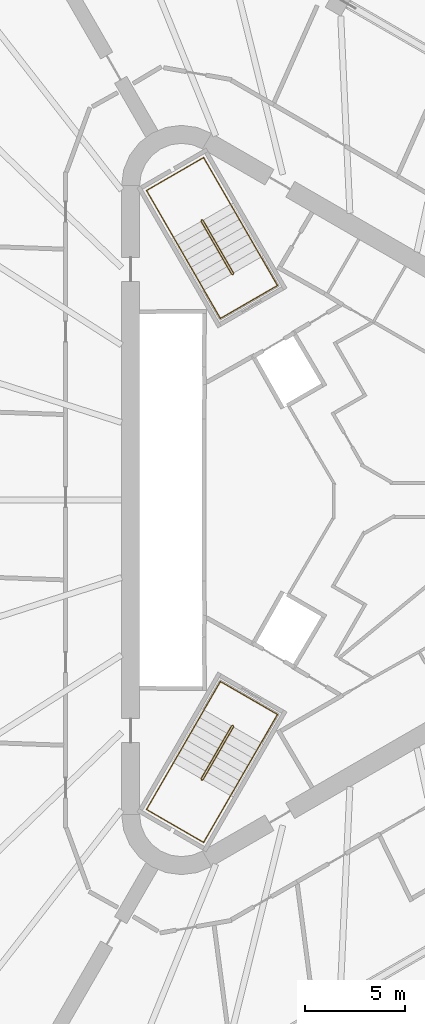
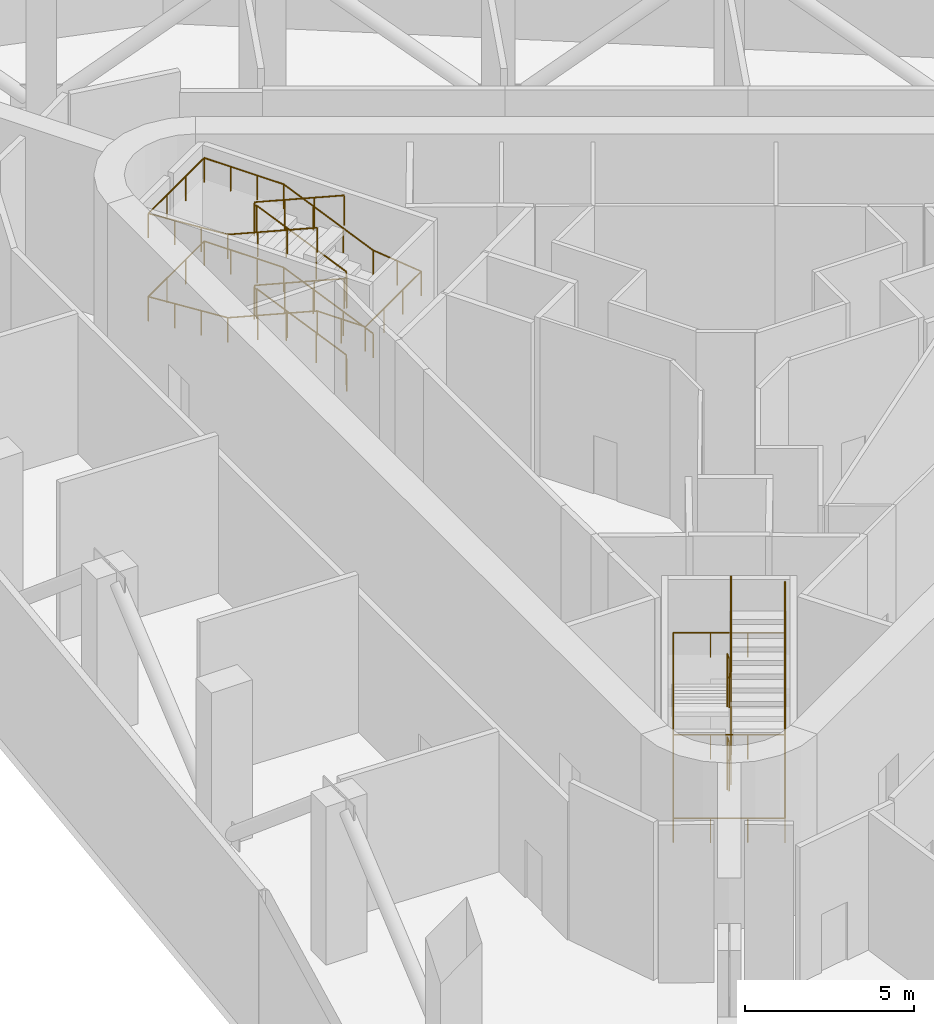
# One storey, part 11 of 12: 4 railings.
"""IFC4 building model written with IfcOpenShell, lengths in metres."""

from ifc_helpers import new_model, si_unit, direction, frame, origin, origin_2d, place, context, subcontext, project, spatial, circle, extrude, material, type_object, element, save


model = new_model("IFC4")

# Units and contexts
model_context = context("Model", 3, precision=1e-05, world=origin(), true_north=direction((0.0, 1.0)))
body_context = subcontext(model_context, "Body", "Model", "MODEL_VIEW")
ifc_project = project(units=[si_unit("LENGTHUNIT", "METRE"), si_unit("AREAUNIT", "SQUARE_METRE"), si_unit("VOLUMEUNIT", "CUBIC_METRE"), si_unit("PLANEANGLEUNIT", "RADIAN"), si_unit("MASSUNIT", "GRAM", prefix="KILO")], contexts=[model_context])

# Site, building, storey
site_placement = place(None, origin())
site = spatial("IfcSite", under=ifc_project, at=site_placement, CompositionType="ELEMENT")
building_placement = place(site_placement, origin())
building = spatial("IfcBuilding", under=site, at=building_placement, Name="Tanit Gate Tower", CompositionType="ELEMENT")
storey_placement = place(building_placement, frame((0.0, 0.0, 292.699951171875)))
storey = spatial("IfcBuildingStorey", under=building, at=storey_placement, Name="L65", CompositionType="ELEMENT", Elevation=292.699951171875)

# Railings
ifc_material_1 = material(Name="Stainless steel balustrade", Category="steel")
railing_type_1 = type_object("IfcRailingType", Name="INT-STAIR-GUARD", PredefinedType="GUARDRAIL", material=ifc_material_1)
railing_1_placement = place(storey_placement, frame((-6.527099609375, 11.29345703125, 0.0)))
element("IfcRailing", 1, at=railing_1_placement, inside=storey, type_object=railing_type_1, Name="L65 S2 stair guard 1", PredefinedType="GUARDRAIL", context=body_context, shape_type="SweptSolid", body=[
    extrude(circle(Radius=0.02392578125, at=origin_2d()), frame((0.0, 0.0, 1.076171875), z_axis=(0.868243142124, 0.496138938357, 0.0), x_axis=(-0.496138938357, 0.868243142124, 0.0)), (0.0, 0.0, 1.0), 0.01171875),
    extrude(circle(Radius=0.02392578125, at=origin_2d()), frame((0.01025390625, 0.005859375, 1.076171875), z_axis=(0.091365023295, 0.341096086969, 0.935577838543), x_axis=(-0.965948051503, 0.258736085224, 0.0)), (0.0, 0.0, 1.0), 0.200439453125),
    extrude(circle(Radius=0.02392578125, at=origin_2d()), frame((0.028564453125, 0.07421875, 1.263671875), z_axis=(-0.459281500864, 0.79545055458, 0.395371873282), x_axis=(-0.866012246495, -0.500022788402, 0.0)), (0.0, 0.0, 1.0), 3.319580078125),
    extrude(circle(Radius=0.02392578125, at=origin_2d()), frame((-1.49609375, 2.71484375, 2.576171875), z_axis=(-0.965715946433, 0.259601060869, 0.0), x_axis=(-0.259601060869, -0.965715946433, 0.0)), (0.0, 0.0, 1.0), 0.070556640625),
    extrude(circle(Radius=0.02392578125, at=origin_2d()), frame((-1.564208984375, 2.733154296875, 2.576171875), z_axis=(-0.873197702015, -0.487366159264, 0.0), x_axis=(0.487366159264, -0.873197702015, 0.0)), (0.0, 0.0, 1.0), 0.011962890625),
    extrude(circle(Radius=0.02392578125, at=origin_2d()), frame((-1.57470703125, 2.727294921875, 2.576171875), z_axis=(-0.091365023295, -0.341096086969, 0.935577838543), x_axis=(0.965948051503, -0.258736085224, 0.0)), (0.0, 0.0, 1.0), 0.200439453125),
    extrude(circle(Radius=0.02392578125, at=origin_2d()), frame((-1.593017578125, 2.658935546875, 2.763671875), z_axis=(0.459281500864, -0.79545055458, 0.395371873282), x_axis=(0.866012246495, 0.500022788402, 0.0)), (0.0, 0.0, 1.0), 3.319580078125),
    extrude(circle(Radius=0.02392578125, at=origin_2d()), frame((-0.068359375, 0.018310546875, 4.076171875), z_axis=(0.965948051503, -0.258736085224, 0.0), x_axis=(0.258736085224, 0.965948051503, 0.0)), (0.0, 0.0, 1.0), 0.07080078125),
    extrude(circle(Radius=0.02392578125, at=origin_2d()), frame((0.0, 0.0, 4.076171875), z_axis=(0.868243142124, 0.496138938357, 0.0), x_axis=(-0.496138938357, 0.868243142124, 0.0)), (0.0, 0.0, 1.0), 0.01171875),
    extrude(circle(Radius=0.02392578125, at=origin_2d()), frame((0.01025390625, 0.005859375, 4.076171875), z_axis=(0.091365023295, 0.341096086969, 0.935577838543), x_axis=(-0.965948051503, 0.258736085224, 0.0)), (0.0, 0.0, 1.0), 0.200439453125),
    extrude(circle(Radius=0.02392578125, at=origin_2d()), frame((0.028564453125, 0.07421875, 4.263671875), z_axis=(-0.459281500864, 0.79545055458, 0.395371873282), x_axis=(-0.866012246495, -0.500022788402, 0.0)), (0.0, 0.0, 1.0), 3.319580078125),
    extrude(circle(Radius=0.02392578125, at=origin_2d()), frame((-1.49609375, 2.71484375, 5.576171875), z_axis=(-0.965715946433, 0.259601060869, 0.0), x_axis=(-0.259601060869, -0.965715946433, 0.0)), (0.0, 0.0, 1.0), 0.070556640625),
    extrude(circle(Radius=0.02392578125, at=origin_2d()), frame((-1.564208984375, 2.733154296875, 5.576171875), z_axis=(-0.873197702015, -0.487366159264, 0.0), x_axis=(0.487366159264, -0.873197702015, 0.0)), (0.0, 0.0, 1.0), 0.011962890625),
    extrude(circle(Radius=0.02392578125, at=origin_2d()), frame((-1.57470703125, 2.727294921875, 5.576171875), z_axis=(-0.091365023295, -0.341096086969, 0.935577838543), x_axis=(0.965948051503, -0.258736085224, 0.0)), (0.0, 0.0, 1.0), 0.200439453125),
    extrude(circle(Radius=0.02392578125, at=origin_2d()), frame((-1.593017578125, 2.658935546875, 5.763671875), z_axis=(0.459281500864, -0.79545055458, 0.395371873282), x_axis=(0.866012246495, 0.500022788402, 0.0)), (0.0, 0.0, 1.0), 3.319580078125),
    extrude(circle(Radius=0.02099609375, at=origin_2d()), origin(), (0.0, 0.0, 1.0), 1.052001953125),
    extrude(circle(Radius=0.02099609375, at=origin_2d()), frame((0.01025390625, 0.005859375, 0.0)), (0.0, 0.0, 1.0), 1.052001953125),
    extrude(circle(Radius=0.02099609375, at=origin_2d()), frame((0.028564453125, 0.07421875, 0.1875)), (0.0, 0.0, 1.0), 1.052001953125),
    extrude(circle(Radius=0.02099609375, at=origin_2d()), frame((-0.479736328125, 0.954345703125, 0.625)), (0.0, 0.0, 1.0), 1.052001953125),
    extrude(circle(Radius=0.02099609375, at=origin_2d()), frame((-0.98779296875, 1.834716796875, 1.0625)), (0.0, 0.0, 1.0), 1.052001953125),
    extrude(circle(Radius=0.02099609375, at=origin_2d()), frame((-1.49609375, 2.71484375, 1.5)), (0.0, 0.0, 1.0), 1.052001953125),
    extrude(circle(Radius=0.02099609375, at=origin_2d()), frame((-1.564208984375, 2.733154296875, 1.5)), (0.0, 0.0, 1.0), 1.052001953125),
    extrude(circle(Radius=0.02099609375, at=origin_2d()), frame((-1.57470703125, 2.727294921875, 1.5)), (0.0, 0.0, 1.0), 1.052001953125),
    extrude(circle(Radius=0.02099609375, at=origin_2d()), frame((-1.593017578125, 2.658935546875, 1.6875)), (0.0, 0.0, 1.0), 1.052001953125),
    extrude(circle(Radius=0.02099609375, at=origin_2d()), frame((-1.084716796875, 1.77880859375, 2.125)), (0.0, 0.0, 1.0), 1.052001953125),
    extrude(circle(Radius=0.02099609375, at=origin_2d()), frame((-0.57666015625, 0.8984375, 2.5625)), (0.0, 0.0, 1.0), 1.052001953125),
    extrude(circle(Radius=0.02099609375, at=origin_2d()), frame((-0.068359375, 0.018310546875, 3.0)), (0.0, 0.0, 1.0), 1.052001953125),
    extrude(circle(Radius=0.02099609375, at=origin_2d()), frame((0.0, 0.0, 3.0)), (0.0, 0.0, 1.0), 1.052001953125),
    extrude(circle(Radius=0.02099609375, at=origin_2d()), frame((0.01025390625, 0.005859375, 3.0)), (0.0, 0.0, 1.0), 1.052001953125),
    extrude(circle(Radius=0.02099609375, at=origin_2d()), frame((0.028564453125, 0.07421875, 3.1875)), (0.0, 0.0, 1.0), 1.052001953125),
    extrude(circle(Radius=0.02099609375, at=origin_2d()), frame((-0.479736328125, 0.954345703125, 3.625)), (0.0, 0.0, 1.0), 1.052001953125),
    extrude(circle(Radius=0.02099609375, at=origin_2d()), frame((-0.98779296875, 1.834716796875, 4.0625)), (0.0, 0.0, 1.0), 1.052001953125),
    extrude(circle(Radius=0.02099609375, at=origin_2d()), frame((-1.49609375, 2.71484375, 4.5)), (0.0, 0.0, 1.0), 1.052001953125),
    extrude(circle(Radius=0.02099609375, at=origin_2d()), frame((-1.564208984375, 2.733154296875, 4.5)), (0.0, 0.0, 1.0), 1.052001953125),
    extrude(circle(Radius=0.02099609375, at=origin_2d()), frame((-1.57470703125, 2.727294921875, 4.5)), (0.0, 0.0, 1.0), 1.052001953125),
    extrude(circle(Radius=0.02099609375, at=origin_2d()), frame((-1.593017578125, 2.658935546875, 4.6875)), (0.0, 0.0, 1.0), 1.052001953125),
    extrude(circle(Radius=0.02099609375, at=origin_2d()), frame((-1.084716796875, 1.77880859375, 5.125)), (0.0, 0.0, 1.0), 1.052001953125),
    extrude(circle(Radius=0.02099609375, at=origin_2d()), frame((-0.57666015625, 0.8984375, 5.5625)), (0.0, 0.0, 1.0), 1.052001953125),
    extrude(circle(Radius=0.02099609375, at=origin_2d()), frame((-0.068359375, 0.018310546875, 6.0)), (0.0, 0.0, 1.0), 1.052001953125),
])
railing_2_placement = place(storey_placement, frame((-6.51806640625, -11.2998046875, 0.0)))
element("IfcRailing", 2, at=railing_2_placement, inside=storey, type_object=railing_type_1, Name="L65 S3 stair guard 1", PredefinedType="GUARDRAIL", context=body_context, shape_type="SweptSolid", body=[
    extrude(circle(Radius=0.02392578125, at=origin_2d()), frame((0.0, 0.0, 1.076171875), z_axis=(-0.874157276122, 0.485642931179, 0.0), x_axis=(-0.485642931179, -0.874157276122, 0.0)), (0.0, 0.0, 1.0), 0.010009765625),
    extrude(circle(Radius=0.02392578125, at=origin_2d()), frame((-0.0087890625, 0.0048828125, 1.076171875), z_axis=(-0.34113380443, -0.090156791171, 0.935681292151), x_axis=(0.255512919477, -0.966805641264, 0.0)), (0.0, 0.0, 1.0), 0.200439453125),
    extrude(circle(Radius=0.02392578125, at=origin_2d()), frame((-0.0771484375, -0.01318359375, 1.263671875), z_axis=(-0.459267510171, -0.795558940874, 0.395169995947), x_axis=(0.866048339477, -0.499960272111, 0.0)), (0.0, 0.0, 1.0), 3.3212890625),
    extrude(circle(Radius=0.02392578125, at=origin_2d()), frame((-1.6025390625, -2.655517578125, 2.576171875), z_axis=(0.258736085224, -0.965948051503, 0.0), x_axis=(0.965948051503, 0.258736085224, 0.0)), (0.0, 0.0, 1.0), 0.07080078125),
    extrude(circle(Radius=0.02392578125, at=origin_2d()), frame((-1.584228515625, -2.723876953125, 2.576171875), z_axis=(0.868243142124, -0.496138938357, 0.0), x_axis=(0.496138938357, 0.868243142124, 0.0)), (0.0, 0.0, 1.0), 0.009765625),
    extrude(circle(Radius=0.02392578125, at=origin_2d()), frame((-1.57568359375, -2.728759765625, 2.576171875), z_axis=(0.341096086969, 0.091365023295, 0.935577838543), x_axis=(-0.258736085224, 0.965948051503, 0.0)), (0.0, 0.0, 1.0), 0.200439453125),
    extrude(circle(Radius=0.02392578125, at=origin_2d()), frame((-1.50732421875, -2.71044921875, 2.763671875), z_axis=(0.459352369135, 0.79550509502, 0.395179762597), x_axis=(-0.865993683553, 0.500054937028, 0.0)), (0.0, 0.0, 1.0), 3.3212890625),
    extrude(circle(Radius=0.02392578125, at=origin_2d()), frame((0.018310546875, -0.068359375, 4.076171875), z_axis=(-0.258736085224, 0.965948051503, 0.0), x_axis=(-0.965948051503, -0.258736085224, 0.0)), (0.0, 0.0, 1.0), 0.07080078125),
    extrude(circle(Radius=0.02392578125, at=origin_2d()), frame((0.0, 0.0, 4.076171875), z_axis=(-0.874157276122, 0.485642931179, 0.0), x_axis=(-0.485642931179, -0.874157276122, 0.0)), (0.0, 0.0, 1.0), 0.010009765625),
    extrude(circle(Radius=0.02392578125, at=origin_2d()), frame((-0.0087890625, 0.0048828125, 4.076171875), z_axis=(-0.34113380443, -0.090156791171, 0.935681292151), x_axis=(0.255512919477, -0.966805641264, 0.0)), (0.0, 0.0, 1.0), 0.200439453125),
    extrude(circle(Radius=0.02392578125, at=origin_2d()), frame((-0.0771484375, -0.01318359375, 4.263671875), z_axis=(-0.459267510171, -0.795558940874, 0.395169995947), x_axis=(0.866048339477, -0.499960272111, 0.0)), (0.0, 0.0, 1.0), 3.3212890625),
    extrude(circle(Radius=0.02392578125, at=origin_2d()), frame((-1.6025390625, -2.655517578125, 5.576171875), z_axis=(0.258736085224, -0.965948051503, 0.0), x_axis=(0.965948051503, 0.258736085224, 0.0)), (0.0, 0.0, 1.0), 0.07080078125),
    extrude(circle(Radius=0.02392578125, at=origin_2d()), frame((-1.584228515625, -2.723876953125, 5.576171875), z_axis=(0.868243142124, -0.496138938357, 0.0), x_axis=(0.496138938357, 0.868243142124, 0.0)), (0.0, 0.0, 1.0), 0.009765625),
    extrude(circle(Radius=0.02392578125, at=origin_2d()), frame((-1.57568359375, -2.728759765625, 5.576171875), z_axis=(0.341096086969, 0.091365023295, 0.935577838543), x_axis=(-0.258736085224, 0.965948051503, 0.0)), (0.0, 0.0, 1.0), 0.200439453125),
    extrude(circle(Radius=0.02392578125, at=origin_2d()), frame((-1.50732421875, -2.71044921875, 5.763671875), z_axis=(0.459352369135, 0.79550509502, 0.395179762597), x_axis=(-0.865993683553, 0.500054937028, 0.0)), (0.0, 0.0, 1.0), 3.3212890625),
    extrude(circle(Radius=0.02099609375, at=origin_2d()), origin(), (0.0, 0.0, 1.0), 1.052001953125),
    extrude(circle(Radius=0.02099609375, at=origin_2d()), frame((-0.0087890625, 0.0048828125, 0.0)), (0.0, 0.0, 1.0), 1.052001953125),
    extrude(circle(Radius=0.02099609375, at=origin_2d()), frame((-0.0771484375, -0.01318359375, 0.1875)), (0.0, 0.0, 1.0), 1.052001953125),
    extrude(circle(Radius=0.02099609375, at=origin_2d()), frame((-0.585693359375, -0.89404296875, 0.625)), (0.0, 0.0, 1.0), 1.052001953125),
    extrude(circle(Radius=0.02099609375, at=origin_2d()), frame((-1.093994140625, -1.774658203125, 1.0625)), (0.0, 0.0, 1.0), 1.052001953125),
    extrude(circle(Radius=0.02099609375, at=origin_2d()), frame((-1.6025390625, -2.655517578125, 1.5)), (0.0, 0.0, 1.0), 1.052001953125),
    extrude(circle(Radius=0.02099609375, at=origin_2d()), frame((-1.584228515625, -2.723876953125, 1.5)), (0.0, 0.0, 1.0), 1.052001953125),
    extrude(circle(Radius=0.02099609375, at=origin_2d()), frame((-1.57568359375, -2.728759765625, 1.5)), (0.0, 0.0, 1.0), 1.052001953125),
    extrude(circle(Radius=0.02099609375, at=origin_2d()), frame((-1.50732421875, -2.71044921875, 1.6875)), (0.0, 0.0, 1.0), 1.052001953125),
    extrude(circle(Radius=0.02099609375, at=origin_2d()), frame((-0.998779296875, -1.829833984375, 2.125)), (0.0, 0.0, 1.0), 1.052001953125),
    extrude(circle(Radius=0.02099609375, at=origin_2d()), frame((-0.490234375, -0.948974609375, 2.5625)), (0.0, 0.0, 1.0), 1.052001953125),
    extrude(circle(Radius=0.02099609375, at=origin_2d()), frame((0.018310546875, -0.068359375, 3.0)), (0.0, 0.0, 1.0), 1.052001953125),
    extrude(circle(Radius=0.02099609375, at=origin_2d()), frame((0.0, 0.0, 3.0)), (0.0, 0.0, 1.0), 1.052001953125),
    extrude(circle(Radius=0.02099609375, at=origin_2d()), frame((-0.0087890625, 0.0048828125, 3.0)), (0.0, 0.0, 1.0), 1.052001953125),
    extrude(circle(Radius=0.02099609375, at=origin_2d()), frame((-0.0771484375, -0.01318359375, 3.1875)), (0.0, 0.0, 1.0), 1.052001953125),
    extrude(circle(Radius=0.02099609375, at=origin_2d()), frame((-0.585693359375, -0.89404296875, 3.625)), (0.0, 0.0, 1.0), 1.052001953125),
    extrude(circle(Radius=0.02099609375, at=origin_2d()), frame((-1.093994140625, -1.774658203125, 4.0625)), (0.0, 0.0, 1.0), 1.052001953125),
    extrude(circle(Radius=0.02099609375, at=origin_2d()), frame((-1.6025390625, -2.655517578125, 4.5)), (0.0, 0.0, 1.0), 1.052001953125),
    extrude(circle(Radius=0.02099609375, at=origin_2d()), frame((-1.584228515625, -2.723876953125, 4.5)), (0.0, 0.0, 1.0), 1.052001953125),
    extrude(circle(Radius=0.02099609375, at=origin_2d()), frame((-1.57568359375, -2.728759765625, 4.5)), (0.0, 0.0, 1.0), 1.052001953125),
    extrude(circle(Radius=0.02099609375, at=origin_2d()), frame((-1.50732421875, -2.71044921875, 4.6875)), (0.0, 0.0, 1.0), 1.052001953125),
    extrude(circle(Radius=0.02099609375, at=origin_2d()), frame((-0.998779296875, -1.829833984375, 5.125)), (0.0, 0.0, 1.0), 1.052001953125),
    extrude(circle(Radius=0.02099609375, at=origin_2d()), frame((-0.490234375, -0.948974609375, 5.5625)), (0.0, 0.0, 1.0), 1.052001953125),
    extrude(circle(Radius=0.02099609375, at=origin_2d()), frame((0.018310546875, -0.068359375, 6.0)), (0.0, 0.0, 1.0), 1.052001953125),
])
ifc_material_2 = material(Name="Stainless steel handrail", Category="steel")
railing_type_2 = type_object("IfcRailingType", Name="INT-STAIR-HANDRAIL", PredefinedType="HANDRAIL", material=ifc_material_2)
railing_3_placement = place(storey_placement, frame((-5.1181640625, 12.164794921875, 0.1875)))
element("IfcRailing", 3, at=railing_3_placement, inside=storey, type_object=railing_type_2, Name="L65 S2 stair handrail 1", PredefinedType="HANDRAIL", context=body_context, shape_type="SweptSolid", body=[
    extrude(circle(Radius=0.02392578125, at=origin_2d()), frame((0.0, 0.0, 0.8759765625), z_axis=(-0.459223467357, 0.795477421995, 0.3953852275), x_axis=(-0.866046917185, -0.499962735845, 0.0)), (0.0, 0.0, 1.0), 3.319580078125),
    extrude(circle(Radius=0.02392578125, at=origin_2d()), frame((-1.5244140625, 2.640625, 2.1884765625), z_axis=(-0.500019123664, 0.86601436245, 0.0), x_axis=(-0.86601436245, -0.500019123664, 0.0)), (0.0, 0.0, 1.0), 2.70703125),
    extrude(circle(Radius=0.02392578125, at=origin_2d()), frame((-2.8779296875, 4.98486328125, 2.1884765625), z_axis=(-0.866008176907, -0.50002983664, 0.0), x_axis=(0.50002983664, -0.866008176907, 0.0)), (0.0, 0.0, 1.0), 3.300048828125),
    extrude(circle(Radius=0.02392578125, at=origin_2d()), frame((-5.73583984375, 3.334716796875, 2.1884765625), z_axis=(0.498862685348, -0.863921472227, 0.069106519182), x_axis=(0.865991810323, 0.500058181068, 0.0)), (0.0, 0.0, 1.0), 2.713134765625),
    extrude(circle(Radius=0.02392578125, at=origin_2d()), frame((-4.38232421875, 0.99072265625, 2.3759765625), z_axis=(0.459254633775, -0.795477561817, 0.395348744784), x_axis=(0.866032263162, 0.499988119021, 0.0)), (0.0, 0.0, 1.0), 3.31982421875),
    extrude(circle(Radius=0.02392578125, at=origin_2d()), frame((-2.857666015625, -1.650146484375, 3.6884765625), z_axis=(0.499941024108, -0.866059450854, 0.0), x_axis=(0.866059450854, 0.499941024108, 0.0)), (0.0, 0.0, 1.0), 1.643798828125),
    extrude(circle(Radius=0.02392578125, at=origin_2d()), frame((-2.035888671875, -3.07373046875, 3.6884765625), z_axis=(0.866040211805, 0.499974350878, 0.0), x_axis=(-0.499974350878, 0.866040211805, 0.0)), (0.0, 0.0, 1.0), 3.300048828125),
    extrude(circle(Radius=0.02392578125, at=origin_2d()), frame((0.822021484375, -1.423828125, 3.6884765625), z_axis=(-0.496767975462, 0.860454657824, 0.113310901442), x_axis=(-0.866032269107, -0.499988108725, 0.0)), (0.0, 0.0, 1.0), 1.65478515625),
    extrude(circle(Radius=0.02392578125, at=origin_2d()), frame((0.0, 0.0, 3.8759765625), z_axis=(-0.459223467357, 0.795477421995, 0.3953852275), x_axis=(-0.866046917185, -0.499962735845, 0.0)), (0.0, 0.0, 1.0), 3.319580078125),
    extrude(circle(Radius=0.02392578125, at=origin_2d()), frame((-1.5244140625, 2.640625, 5.1884765625), z_axis=(-0.500019123664, 0.86601436245, 0.0), x_axis=(-0.86601436245, -0.500019123664, 0.0)), (0.0, 0.0, 1.0), 2.70703125),
    extrude(circle(Radius=0.02392578125, at=origin_2d()), frame((-2.8779296875, 4.98486328125, 5.1884765625), z_axis=(-0.866008176907, -0.50002983664, 0.0), x_axis=(0.50002983664, -0.866008176907, 0.0)), (0.0, 0.0, 1.0), 3.300048828125),
    extrude(circle(Radius=0.02392578125, at=origin_2d()), frame((-5.73583984375, 3.334716796875, 5.1884765625), z_axis=(0.498862685348, -0.863921472227, 0.069106519182), x_axis=(0.865991810323, 0.500058181068, 0.0)), (0.0, 0.0, 1.0), 2.713134765625),
    extrude(circle(Radius=0.02392578125, at=origin_2d()), frame((-4.38232421875, 0.99072265625, 5.3759765625), z_axis=(0.459254633775, -0.795477561817, 0.395348744784), x_axis=(0.866032263162, 0.499988119021, 0.0)), (0.0, 0.0, 1.0), 3.31982421875),
    extrude(circle(Radius=0.02099609375, at=origin_2d()), origin(), (0.0, 0.0, 1.0), 0.851806640625),
    extrude(circle(Radius=0.02099609375, at=origin_2d()), frame((-0.508056640625, 0.880126953125, 0.4375)), (0.0, 0.0, 1.0), 0.851806640625),
    extrude(circle(Radius=0.02099609375, at=origin_2d()), frame((-1.016357421875, 1.760498046875, 0.875)), (0.0, 0.0, 1.0), 0.851806640625),
    extrude(circle(Radius=0.02099609375, at=origin_2d()), frame((-1.5244140625, 2.640625, 1.3125)), (0.0, 0.0, 1.0), 0.851806640625),
    extrude(circle(Radius=0.02099609375, at=origin_2d()), frame((-1.9755859375, 3.422119140625, 1.3125)), (0.0, 0.0, 1.0), 0.851806640625),
    extrude(circle(Radius=0.02099609375, at=origin_2d()), frame((-2.4267578125, 4.203369140625, 1.3125)), (0.0, 0.0, 1.0), 0.851806640625),
    extrude(circle(Radius=0.02099609375, at=origin_2d()), frame((-2.8779296875, 4.98486328125, 1.3125)), (0.0, 0.0, 1.0), 0.851806640625),
    extrude(circle(Radius=0.02099609375, at=origin_2d()), frame((-3.83056640625, 4.434814453125, 1.3125)), (0.0, 0.0, 1.0), 0.851806640625),
    extrude(circle(Radius=0.02099609375, at=origin_2d()), frame((-4.783203125, 3.884765625, 1.3125)), (0.0, 0.0, 1.0), 0.851806640625),
    extrude(circle(Radius=0.02099609375, at=origin_2d()), frame((-5.73583984375, 3.334716796875, 1.3125)), (0.0, 0.0, 1.0), 0.851806640625),
    extrude(circle(Radius=0.02099609375, at=origin_2d()), frame((-5.28466796875, 2.553466796875, 1.375)), (0.0, 0.0, 1.0), 0.851806640625),
    extrude(circle(Radius=0.02099609375, at=origin_2d()), frame((-4.83349609375, 1.77197265625, 1.4375)), (0.0, 0.0, 1.0), 0.851806640625),
    extrude(circle(Radius=0.02099609375, at=origin_2d()), frame((-4.38232421875, 0.99072265625, 1.5)), (0.0, 0.0, 1.0), 0.851806640625),
    extrude(circle(Radius=0.02099609375, at=origin_2d()), frame((-3.8740234375, 0.1103515625, 1.9375)), (0.0, 0.0, 1.0), 0.851806640625),
    extrude(circle(Radius=0.02099609375, at=origin_2d()), frame((-3.365966796875, -0.769775390625, 2.375)), (0.0, 0.0, 1.0), 0.851806640625),
    extrude(circle(Radius=0.02099609375, at=origin_2d()), frame((-2.857666015625, -1.650146484375, 2.8125)), (0.0, 0.0, 1.0), 0.851806640625),
    extrude(circle(Radius=0.02099609375, at=origin_2d()), frame((-2.44677734375, -2.36181640625, 2.8125)), (0.0, 0.0, 1.0), 0.851806640625),
    extrude(circle(Radius=0.02099609375, at=origin_2d()), frame((-2.035888671875, -3.07373046875, 2.8125)), (0.0, 0.0, 1.0), 0.851806640625),
    extrude(circle(Radius=0.02099609375, at=origin_2d()), frame((-1.083251953125, -2.523681640625, 2.8125)), (0.0, 0.0, 1.0), 0.851806640625),
    extrude(circle(Radius=0.02099609375, at=origin_2d()), frame((-0.130615234375, -1.973876953125, 2.8125)), (0.0, 0.0, 1.0), 0.851806640625),
    extrude(circle(Radius=0.02099609375, at=origin_2d()), frame((0.822021484375, -1.423828125, 2.8125)), (0.0, 0.0, 1.0), 0.851806640625),
    extrude(circle(Radius=0.02099609375, at=origin_2d()), frame((0.4111328125, -0.7119140625, 2.90625)), (0.0, 0.0, 1.0), 0.851806640625),
    extrude(circle(Radius=0.02099609375, at=origin_2d()), frame((0.0, 0.0, 3.0)), (0.0, 0.0, 1.0), 0.851806640625),
    extrude(circle(Radius=0.02099609375, at=origin_2d()), frame((-0.508056640625, 0.880126953125, 3.4375)), (0.0, 0.0, 1.0), 0.851806640625),
    extrude(circle(Radius=0.02099609375, at=origin_2d()), frame((-1.016357421875, 1.760498046875, 3.875)), (0.0, 0.0, 1.0), 0.851806640625),
    extrude(circle(Radius=0.02099609375, at=origin_2d()), frame((-1.5244140625, 2.640625, 4.3125)), (0.0, 0.0, 1.0), 0.851806640625),
    extrude(circle(Radius=0.02099609375, at=origin_2d()), frame((-1.9755859375, 3.422119140625, 4.3125)), (0.0, 0.0, 1.0), 0.851806640625),
    extrude(circle(Radius=0.02099609375, at=origin_2d()), frame((-2.4267578125, 4.203369140625, 4.3125)), (0.0, 0.0, 1.0), 0.851806640625),
    extrude(circle(Radius=0.02099609375, at=origin_2d()), frame((-2.8779296875, 4.98486328125, 4.3125)), (0.0, 0.0, 1.0), 0.851806640625),
    extrude(circle(Radius=0.02099609375, at=origin_2d()), frame((-3.83056640625, 4.434814453125, 4.3125)), (0.0, 0.0, 1.0), 0.851806640625),
    extrude(circle(Radius=0.02099609375, at=origin_2d()), frame((-4.783203125, 3.884765625, 4.3125)), (0.0, 0.0, 1.0), 0.851806640625),
    extrude(circle(Radius=0.02099609375, at=origin_2d()), frame((-5.73583984375, 3.334716796875, 4.3125)), (0.0, 0.0, 1.0), 0.851806640625),
    extrude(circle(Radius=0.02099609375, at=origin_2d()), frame((-5.28466796875, 2.553466796875, 4.375)), (0.0, 0.0, 1.0), 0.851806640625),
    extrude(circle(Radius=0.02099609375, at=origin_2d()), frame((-4.83349609375, 1.77197265625, 4.4375)), (0.0, 0.0, 1.0), 0.851806640625),
    extrude(circle(Radius=0.02099609375, at=origin_2d()), frame((-4.38232421875, 0.99072265625, 4.5)), (0.0, 0.0, 1.0), 0.851806640625),
    extrude(circle(Radius=0.02099609375, at=origin_2d()), frame((-3.8740234375, 0.1103515625, 4.9375)), (0.0, 0.0, 1.0), 0.851806640625),
    extrude(circle(Radius=0.02099609375, at=origin_2d()), frame((-3.365966796875, -0.769775390625, 5.375)), (0.0, 0.0, 1.0), 0.851806640625),
    extrude(circle(Radius=0.02099609375, at=origin_2d()), frame((-2.857666015625, -1.650146484375, 5.8125)), (0.0, 0.0, 1.0), 0.851806640625),
])
railing_4_placement = place(storey_placement, frame((-7.9765625, -10.515625, 0.1875)))
element("IfcRailing", 4, at=railing_4_placement, inside=storey, type_object=railing_type_2, Name="L65 S3 stair handrail 1", PredefinedType="HANDRAIL", context=body_context, shape_type="SweptSolid", body=[
    extrude(circle(Radius=0.02392578125, at=origin_2d()), frame((0.0, 0.0, 0.8759765625), z_axis=(-0.459267510171, -0.795558940874, 0.395169995947), x_axis=(0.866048339477, -0.499960272111, 0.0)), (0.0, 0.0, 1.0), 3.3212890625),
    extrude(circle(Radius=0.02392578125, at=origin_2d()), frame((-1.525390625, -2.642333984375, 2.1884765625), z_axis=(-0.50004290449, -0.866000631449, 0.0), x_axis=(0.866000631449, -0.50004290449, 0.0)), (0.0, 0.0, 1.0), 2.703857421875),
    extrude(circle(Radius=0.02392578125, at=origin_2d()), frame((-2.87744140625, -4.98388671875, 2.1884765625), z_axis=(0.866008176907, -0.50002983664, 0.0), x_axis=(0.50002983664, 0.866008176907, 0.0)), (0.0, 0.0, 1.0), 3.300048828125),
    extrude(circle(Radius=0.02392578125, at=origin_2d()), frame((-0.01953125, -6.634033203125, 2.1884765625), z_axis=(0.498806118336, 0.863948769787, 0.069173546205), x_axis=(-0.866023205937, 0.500003806764, 0.0)), (0.0, 0.0, 1.0), 2.710693359375),
    extrude(circle(Radius=0.02392578125, at=origin_2d()), frame((1.33251953125, -4.292236328125, 2.3759765625), z_axis=(0.459267510171, 0.795558940874, 0.395169995947), x_axis=(-0.866048339477, 0.499960272111, 0.0)), (0.0, 0.0, 1.0), 3.3212890625),
    extrude(circle(Radius=0.02392578125, at=origin_2d()), frame((2.85791015625, -1.64990234375, 3.6884765625), z_axis=(0.50001794124, 0.866015045157, 0.0), x_axis=(-0.866015045157, 0.50001794124, 0.0)), (0.0, 0.0, 1.0), 1.64501953125),
    extrude(circle(Radius=0.02392578125, at=origin_2d()), frame((3.680419921875, -0.225341796875, 3.6884765625), z_axis=(-0.866040211805, 0.499974350878, 0.0), x_axis=(-0.499974350878, -0.866040211805, 0.0)), (0.0, 0.0, 1.0), 3.300048828125),
    extrude(circle(Radius=0.02392578125, at=origin_2d()), frame((0.822509765625, 1.424560546875, 3.6884765625), z_axis=(-0.496801021229, -0.860443442824, 0.113251167796), x_axis=(0.866015045157, -0.50001794124, 0.0)), (0.0, 0.0, 1.0), 1.655517578125),
    extrude(circle(Radius=0.02392578125, at=origin_2d()), frame((0.0, 0.0, 3.8759765625), z_axis=(-0.459267510171, -0.795558940874, 0.395169995947), x_axis=(0.866048339477, -0.499960272111, 0.0)), (0.0, 0.0, 1.0), 3.3212890625),
    extrude(circle(Radius=0.02392578125, at=origin_2d()), frame((-1.525390625, -2.642333984375, 5.1884765625), z_axis=(-0.50004290449, -0.866000631449, 0.0), x_axis=(0.866000631449, -0.50004290449, 0.0)), (0.0, 0.0, 1.0), 2.703857421875),
    extrude(circle(Radius=0.02392578125, at=origin_2d()), frame((-2.87744140625, -4.98388671875, 5.1884765625), z_axis=(0.866008176907, -0.50002983664, 0.0), x_axis=(0.50002983664, 0.866008176907, 0.0)), (0.0, 0.0, 1.0), 3.300048828125),
    extrude(circle(Radius=0.02392578125, at=origin_2d()), frame((-0.01953125, -6.634033203125, 5.1884765625), z_axis=(0.498806118336, 0.863948769787, 0.069173546205), x_axis=(-0.866023205937, 0.500003806764, 0.0)), (0.0, 0.0, 1.0), 2.710693359375),
    extrude(circle(Radius=0.02392578125, at=origin_2d()), frame((1.33251953125, -4.292236328125, 5.3759765625), z_axis=(0.459267510171, 0.795558940874, 0.395169995947), x_axis=(-0.866048339477, 0.499960272111, 0.0)), (0.0, 0.0, 1.0), 3.3212890625),
    extrude(circle(Radius=0.02099609375, at=origin_2d()), origin(), (0.0, 0.0, 1.0), 0.851806640625),
    extrude(circle(Radius=0.02099609375, at=origin_2d()), frame((-0.508544921875, -0.880859375, 0.4375)), (0.0, 0.0, 1.0), 0.851806640625),
    extrude(circle(Radius=0.02099609375, at=origin_2d()), frame((-1.016845703125, -1.761474609375, 0.875)), (0.0, 0.0, 1.0), 0.851806640625),
    extrude(circle(Radius=0.02099609375, at=origin_2d()), frame((-1.525390625, -2.642333984375, 1.3125)), (0.0, 0.0, 1.0), 0.851806640625),
    extrude(circle(Radius=0.02099609375, at=origin_2d()), frame((-1.97607421875, -3.4228515625, 1.3125)), (0.0, 0.0, 1.0), 0.851806640625),
    extrude(circle(Radius=0.02099609375, at=origin_2d()), frame((-2.4267578125, -4.203369140625, 1.3125)), (0.0, 0.0, 1.0), 0.851806640625),
    extrude(circle(Radius=0.02099609375, at=origin_2d()), frame((-2.87744140625, -4.98388671875, 1.3125)), (0.0, 0.0, 1.0), 0.851806640625),
    extrude(circle(Radius=0.02099609375, at=origin_2d()), frame((-1.9248046875, -5.533935546875, 1.3125)), (0.0, 0.0, 1.0), 0.851806640625),
    extrude(circle(Radius=0.02099609375, at=origin_2d()), frame((-0.97216796875, -6.083984375, 1.3125)), (0.0, 0.0, 1.0), 0.851806640625),
    extrude(circle(Radius=0.02099609375, at=origin_2d()), frame((-0.01953125, -6.634033203125, 1.3125)), (0.0, 0.0, 1.0), 0.851806640625),
    extrude(circle(Radius=0.02099609375, at=origin_2d()), frame((0.43115234375, -5.853515625, 1.375)), (0.0, 0.0, 1.0), 0.851806640625),
    extrude(circle(Radius=0.02099609375, at=origin_2d()), frame((0.8818359375, -5.07275390625, 1.4375)), (0.0, 0.0, 1.0), 0.851806640625),
    extrude(circle(Radius=0.02099609375, at=origin_2d()), frame((1.33251953125, -4.292236328125, 1.5)), (0.0, 0.0, 1.0), 0.851806640625),
    extrude(circle(Radius=0.02099609375, at=origin_2d()), frame((1.841064453125, -3.411376953125, 1.9375)), (0.0, 0.0, 1.0), 0.851806640625),
    extrude(circle(Radius=0.02099609375, at=origin_2d()), frame((2.349365234375, -2.53076171875, 2.375)), (0.0, 0.0, 1.0), 0.851806640625),
    extrude(circle(Radius=0.02099609375, at=origin_2d()), frame((2.85791015625, -1.64990234375, 2.8125)), (0.0, 0.0, 1.0), 0.851806640625),
    extrude(circle(Radius=0.02099609375, at=origin_2d()), frame((3.26904296875, -0.9375, 2.8125)), (0.0, 0.0, 1.0), 0.851806640625),
    extrude(circle(Radius=0.02099609375, at=origin_2d()), frame((3.680419921875, -0.225341796875, 2.8125)), (0.0, 0.0, 1.0), 0.851806640625),
    extrude(circle(Radius=0.02099609375, at=origin_2d()), frame((2.727783203125, 0.32470703125, 2.8125)), (0.0, 0.0, 1.0), 0.851806640625),
    extrude(circle(Radius=0.02099609375, at=origin_2d()), frame((1.775146484375, 0.87451171875, 2.8125)), (0.0, 0.0, 1.0), 0.851806640625),
    extrude(circle(Radius=0.02099609375, at=origin_2d()), frame((0.822509765625, 1.424560546875, 2.8125)), (0.0, 0.0, 1.0), 0.851806640625),
    extrude(circle(Radius=0.02099609375, at=origin_2d()), frame((0.4111328125, 0.71240234375, 2.90625)), (0.0, 0.0, 1.0), 0.851806640625),
    extrude(circle(Radius=0.02099609375, at=origin_2d()), frame((0.0, 0.0, 3.0)), (0.0, 0.0, 1.0), 0.851806640625),
    extrude(circle(Radius=0.02099609375, at=origin_2d()), frame((-0.508544921875, -0.880859375, 3.4375)), (0.0, 0.0, 1.0), 0.851806640625),
    extrude(circle(Radius=0.02099609375, at=origin_2d()), frame((-1.016845703125, -1.761474609375, 3.875)), (0.0, 0.0, 1.0), 0.851806640625),
    extrude(circle(Radius=0.02099609375, at=origin_2d()), frame((-1.525390625, -2.642333984375, 4.3125)), (0.0, 0.0, 1.0), 0.851806640625),
    extrude(circle(Radius=0.02099609375, at=origin_2d()), frame((-1.97607421875, -3.4228515625, 4.3125)), (0.0, 0.0, 1.0), 0.851806640625),
    extrude(circle(Radius=0.02099609375, at=origin_2d()), frame((-2.4267578125, -4.203369140625, 4.3125)), (0.0, 0.0, 1.0), 0.851806640625),
    extrude(circle(Radius=0.02099609375, at=origin_2d()), frame((-2.87744140625, -4.98388671875, 4.3125)), (0.0, 0.0, 1.0), 0.851806640625),
    extrude(circle(Radius=0.02099609375, at=origin_2d()), frame((-1.9248046875, -5.533935546875, 4.3125)), (0.0, 0.0, 1.0), 0.851806640625),
    extrude(circle(Radius=0.02099609375, at=origin_2d()), frame((-0.97216796875, -6.083984375, 4.3125)), (0.0, 0.0, 1.0), 0.851806640625),
    extrude(circle(Radius=0.02099609375, at=origin_2d()), frame((-0.01953125, -6.634033203125, 4.3125)), (0.0, 0.0, 1.0), 0.851806640625),
    extrude(circle(Radius=0.02099609375, at=origin_2d()), frame((0.43115234375, -5.853515625, 4.375)), (0.0, 0.0, 1.0), 0.851806640625),
    extrude(circle(Radius=0.02099609375, at=origin_2d()), frame((0.8818359375, -5.07275390625, 4.4375)), (0.0, 0.0, 1.0), 0.851806640625),
    extrude(circle(Radius=0.02099609375, at=origin_2d()), frame((1.33251953125, -4.292236328125, 4.5)), (0.0, 0.0, 1.0), 0.851806640625),
    extrude(circle(Radius=0.02099609375, at=origin_2d()), frame((1.841064453125, -3.411376953125, 4.9375)), (0.0, 0.0, 1.0), 0.851806640625),
    extrude(circle(Radius=0.02099609375, at=origin_2d()), frame((2.349365234375, -2.53076171875, 5.375)), (0.0, 0.0, 1.0), 0.851806640625),
    extrude(circle(Radius=0.02099609375, at=origin_2d()), frame((2.85791015625, -1.64990234375, 5.8125)), (0.0, 0.0, 1.0), 0.851806640625),
])

save(model, "model.ifc")
